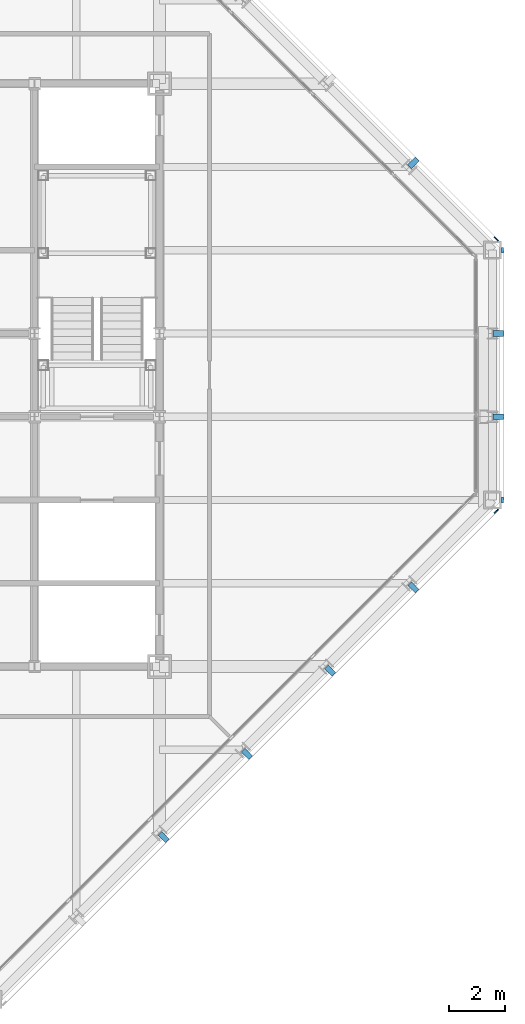
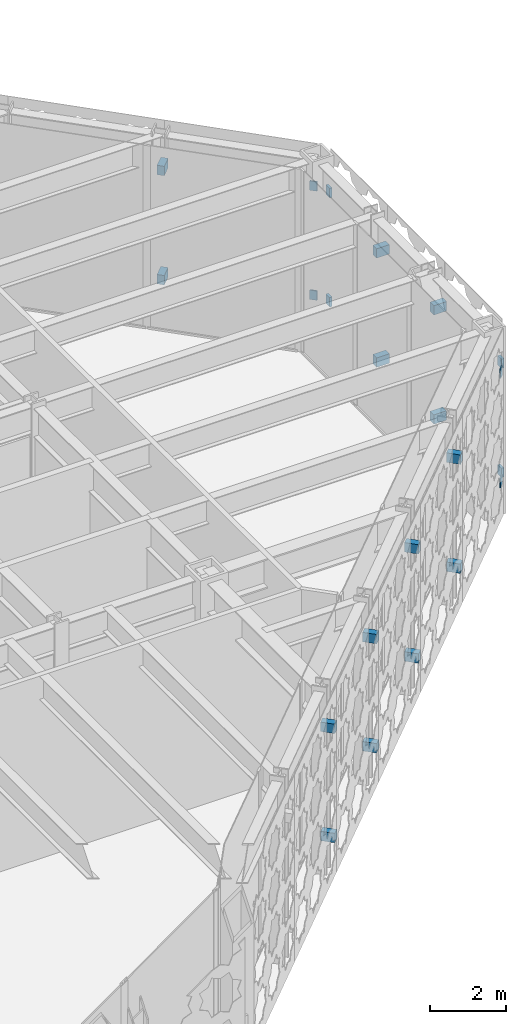
# One storey, part 15 of 28: 22 discrete accessories.
"""IFC4 building model written with IfcOpenShell, lengths in metres."""

from ifc_helpers import new_model, si_unit, direction, frame, origin, origin_2d, place, context, subcontext, project, spatial, rectangle, extrude, material, type_object, element, save


model = new_model("IFC4")

# Units and contexts
model_context = context("Model", 3, precision=1e-05, world=origin(), true_north=direction((0.0, 1.0)))
body_context = subcontext(model_context, "Body", "Model", "MODEL_VIEW")
ifc_project = project(units=[si_unit("LENGTHUNIT", "METRE"), si_unit("AREAUNIT", "SQUARE_METRE"), si_unit("VOLUMEUNIT", "CUBIC_METRE"), si_unit("PLANEANGLEUNIT", "RADIAN"), si_unit("MASSUNIT", "GRAM", prefix="KILO")], contexts=[model_context])

# Site, building, storey
site_placement = place(None, origin())
site = spatial("IfcSite", under=ifc_project, at=site_placement, CompositionType="ELEMENT")
building_placement = place(site_placement, origin())
building = spatial("IfcBuilding", under=site, at=building_placement, Name="Chuquiago Exchange Tower", CompositionType="ELEMENT")
storey_placement = place(building_placement, frame((0.0, 0.0, 300.0)))
storey = spatial("IfcBuildingStorey", under=building, at=storey_placement, Name="L67", CompositionType="ELEMENT", Elevation=300.0)

# Discrete accessories
ifc_material_1 = material(Name="Stainless steel plate bracket", Category="steel")
discrete_accessory_type_1 = type_object("IfcDiscreteAccessoryType", Name="GB1 cladding bracket 388", PredefinedType="BRACKET", material=ifc_material_1)
for number, where, z_axis, x_axis, name in (
    (1, (45.206298828125, 21.0, 1.0048828125), (0.0, 0.0, 1.0), (0.0, 1.0, 0.0), "Cladding bracket L67 E"),
    (2, (45.206298828125, 21.0, 4.4951171875), (0.0, 0.0, 1.0), (0.0, 1.0, 0.0), "Cladding bracket L67 E"),
    (3, (45.206298828125, 24.0, 1.0048828125), (0.0, 0.0, 1.0), (0.0, 1.0, 0.0), "Cladding bracket L67 E"),
    (4, (45.206298828125, 24.0, 4.4951171875), (0.0, 0.0, 1.0), (0.0, 1.0, 0.0), "Cladding bracket L67 E"),
):
    element("IfcDiscreteAccessory", number, at=place(storey_placement, frame(where, z_axis=z_axis, x_axis=x_axis)), inside=storey, type_object=discrete_accessory_type_1, Name=name, PredefinedType="BRACKET", context=body_context, shape_type="SweptSolid", body=[
        extrude(rectangle(XDim=0.199951171875, YDim=0.3876953125, at=origin_2d()), origin(), (0.0, 0.0, 1.0), 0.300048828125),
    ])
ifc_material_2 = material(Name="Stainless steel plate bracket", Category="steel")
discrete_accessory_type_2 = type_object("IfcDiscreteAccessoryType", Name="GB2 cladding bracket 386", PredefinedType="BRACKET", material=ifc_material_2)
for number, where, z_axis, x_axis, name in (
    (5, (33.146240234375, 5.853759765625, 1.0048828125), (0.0, 0.0, 1.0), (0.707106781187, 0.707106781187, 0.0), "Cladding bracket L67 SE"),
    (6, (33.146240234375, 5.853759765625, 4.4951171875), (0.0, 0.0, 1.0), (0.707106781187, 0.707106781187, 0.0), "Cladding bracket L67 SE"),
    (7, (36.146240234375, 8.853759765625, 1.0048828125), (0.0, 0.0, 1.0), (0.707106781187, 0.707106781187, 0.0), "Cladding bracket L67 SE"),
    (8, (36.146240234375, 8.853759765625, 4.4951171875), (0.0, 0.0, 1.0), (0.707106781187, 0.707106781187, 0.0), "Cladding bracket L67 SE"),
    (9, (39.146240234375, 11.853759765625, 1.0048828125), (0.0, 0.0, 1.0), (0.707106781187, 0.707106781187, 0.0), "Cladding bracket L67 SE"),
    (10, (39.146240234375, 11.853759765625, 4.4951171875), (0.0, 0.0, 1.0), (0.707106781187, 0.707106781187, 0.0), "Cladding bracket L67 SE"),
    (11, (42.146240234375, 14.853759765625, 1.0048828125), (0.0, 0.0, 1.0), (0.707106781187, 0.707106781187, 0.0), "Cladding bracket L67 SE"),
    (12, (42.146240234375, 14.853759765625, 4.4951171875), (0.0, 0.0, 1.0), (0.707106781187, 0.707106781187, 0.0), "Cladding bracket L67 SE"),
    (13, (42.146240234375, 30.146240234375, 1.0048828125), (0.0, 0.0, 1.0), (-0.707106781187, 0.707106781187, 0.0), "Cladding bracket L67 NE"),
    (14, (42.146240234375, 30.146240234375, 4.4951171875), (0.0, 0.0, 1.0), (-0.707106781187, 0.707106781187, 0.0), "Cladding bracket L67 NE"),
):
    element("IfcDiscreteAccessory", number, at=place(storey_placement, frame(where, z_axis=z_axis, x_axis=x_axis)), inside=storey, type_object=discrete_accessory_type_2, Name=name, PredefinedType="BRACKET", context=body_context, shape_type="SweptSolid", body=[
        extrude(rectangle(XDim=0.199951171875, YDim=0.386474609375, at=origin_2d()), origin(), (0.0, 0.0, 1.0), 0.300048828125),
    ])
ifc_material_3 = material(Name="Stainless steel plate bracket", Category="steel")
discrete_accessory_type_3 = type_object("IfcDiscreteAccessoryType", Name="GB4 cladding bracket 75", PredefinedType="BRACKET", material=ifc_material_3)
for number, where, z_axis, x_axis, name in (
    (15, (45.362548828125, 18.0, 1.0048828125), (0.0, 0.0, 1.0), (0.0, 1.0, 0.0), "Cladding bracket L67 E"),
    (16, (45.362548828125, 18.0, 4.4951171875), (0.0, 0.0, 1.0), (0.0, 1.0, 0.0), "Cladding bracket L67 E"),
    (17, (45.362548828125, 27.0, 1.0048828125), (0.0, 0.0, 1.0), (0.0, 1.0, 0.0), "Cladding bracket L67 E"),
    (18, (45.362548828125, 27.0, 4.4951171875), (0.0, 0.0, 1.0), (0.0, 1.0, 0.0), "Cladding bracket L67 E"),
):
    element("IfcDiscreteAccessory", number, at=place(storey_placement, frame(where, z_axis=z_axis, x_axis=x_axis)), inside=storey, type_object=discrete_accessory_type_3, Name=name, PredefinedType="BRACKET", context=body_context, shape_type="SweptSolid", body=[
        extrude(rectangle(XDim=0.199951171875, YDim=0.074951171875, at=origin_2d()), origin(), (0.0, 0.0, 1.0), 0.300048828125),
    ])
ifc_material_4 = material(Name="Stainless steel plate bracket", Category="steel")
discrete_accessory_type_4 = type_object("IfcDiscreteAccessoryType", Name="GB6 cladding bracket 35", PredefinedType="BRACKET", material=ifc_material_4)
for number, where, z_axis, x_axis, name in (
    (19, (45.132568359375, 17.591796875, 1.0048828125), (0.0, 0.0, 1.0), (0.707106781187, 0.707106781187, 0.0), "Cladding bracket L67 SE"),
    (20, (45.132568359375, 17.591796875, 4.4951171875), (0.0, 0.0, 1.0), (0.707106781187, 0.707106781187, 0.0), "Cladding bracket L67 SE"),
    (21, (45.13232421875, 27.408203125, 1.0048828125), (0.0, 0.0, 1.0), (-0.707106781187, 0.707106781187, 0.0), "Cladding bracket L67 NE"),
    (22, (45.13232421875, 27.408203125, 4.4951171875), (0.0, 0.0, 1.0), (-0.707106781187, 0.707106781187, 0.0), "Cladding bracket L67 NE"),
):
    element("IfcDiscreteAccessory", number, at=place(storey_placement, frame(where, z_axis=z_axis, x_axis=x_axis)), inside=storey, type_object=discrete_accessory_type_4, Name=name, PredefinedType="BRACKET", context=body_context, shape_type="SweptSolid", body=[
        extrude(rectangle(XDim=0.199951171875, YDim=0.035400390625, at=origin_2d()), origin(), (0.0, 0.0, 1.0), 0.300048828125),
    ])

save(model, "model.ifc")
